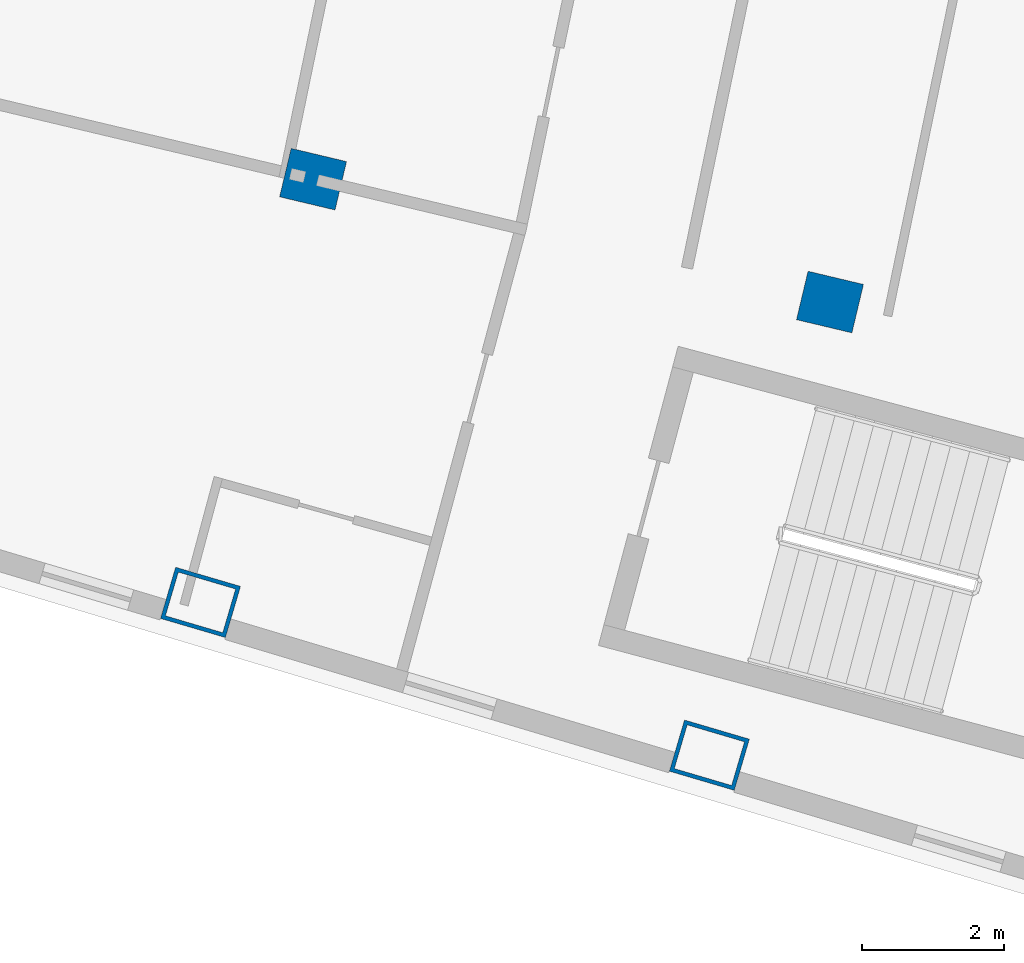
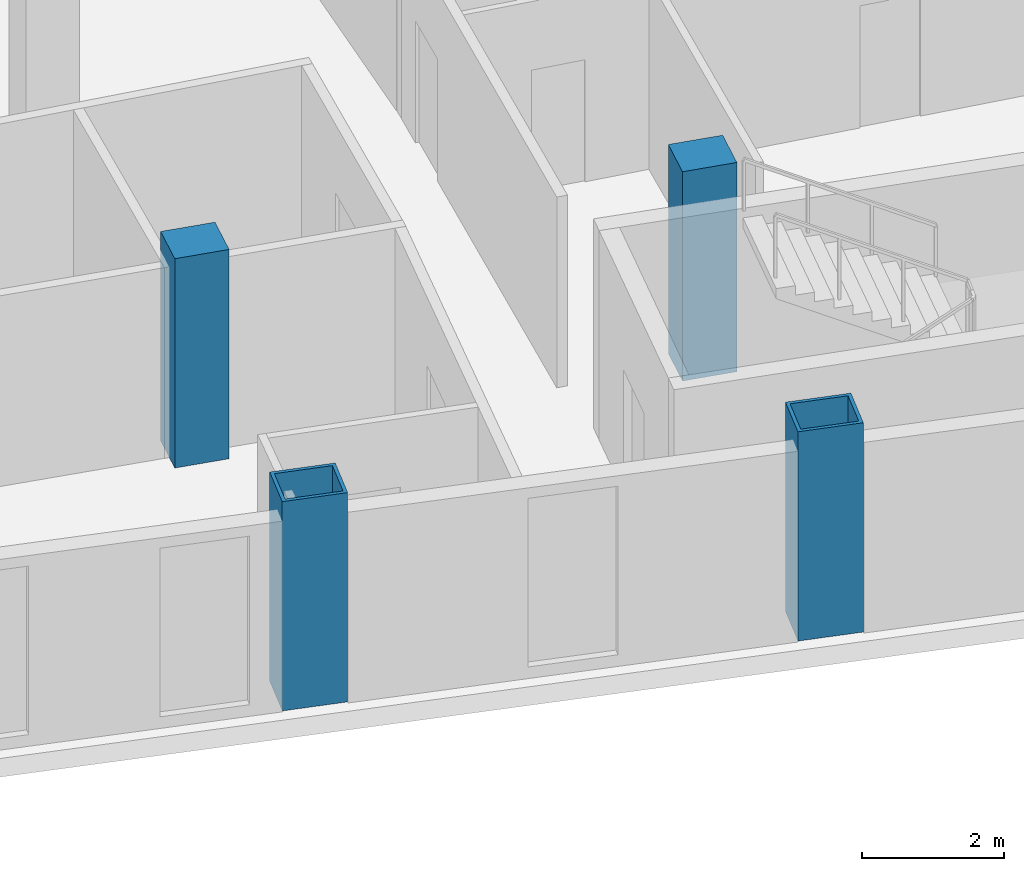
# One storey, part 2 of 21: 4 columns.
"""IFC4 building model written with IfcOpenShell, lengths in metres."""

from ifc_helpers import new_model, si_unit, direction, frame, origin, origin_2d, place, context, subcontext, project, spatial, rectangle, hollow_rectangle, extrude, material, material_profile, profile_set, type_object, element, save


model = new_model("IFC4")

# Units and contexts
model_context = context("Model", 3, precision=1e-05, world=origin(), true_north=direction((0.0, 1.0)))
body_context = subcontext(model_context, "Body", "Model", "MODEL_VIEW")
ifc_project = project(units=[si_unit("LENGTHUNIT", "METRE"), si_unit("AREAUNIT", "SQUARE_METRE"), si_unit("VOLUMEUNIT", "CUBIC_METRE"), si_unit("PLANEANGLEUNIT", "RADIAN"), si_unit("MASSUNIT", "GRAM", prefix="KILO")], contexts=[model_context])

# Site, building, storey
site_placement = place(None, origin())
site = spatial("IfcSite", under=ifc_project, at=site_placement, CompositionType="ELEMENT")
building_placement = place(site_placement, origin())
building = spatial("IfcBuilding", under=site, at=building_placement, Name="Alderwake Tower", CompositionType="ELEMENT")
storey_placement = place(building_placement, frame((0.0, 0.0, 207.199951171875)))
storey = spatial("IfcBuildingStorey", under=building, at=storey_placement, Name="L51", CompositionType="ELEMENT", Elevation=207.199951171875)

# Columns
ifc_material_1 = material(Name="Steel ASTM A572 Grade 50 concrete filled C70/85", Category="concrete")
ifc_material_profile_1 = material_profile(ifc_material_1, hollow_rectangle(XDim=0.75, YDim=0.949951171875, WallThickness=0.054931640625, at=origin_2d()), Name="BOX 950X750X55")
ifc_profile_set_1 = profile_set([ifc_material_profile_1], Name="Steel ASTM A572 Grade 50 concrete filled C70/85")
column_type_1 = type_object("IfcColumnType", Name="End column Z4", PredefinedType="COLUMN", material=ifc_profile_set_1)
for number, where, z_axis, x_axis, name in (
    (1, (31.080322265625, 28.27685546875, 0.0), (0.0, 0.0, 1.0), (0.282582549822, 0.959242984095, 0.0), "Column R02-C2"),
    (2, (38.231689453125, 26.1298828125, 0.0), (0.0, 0.0, 1.0), (0.282883890943, 0.959154160834, 0.0), "Column R02-C3"),
):
    element("IfcColumn", number, at=place(storey_placement, frame(where, z_axis=z_axis, x_axis=x_axis)), inside=storey, type_object=column_type_1, Name=name, PredefinedType="COLUMN", context=body_context, shape_type="SweptSolid", body=[
        extrude(hollow_rectangle(XDim=0.75, YDim=0.949951171875, WallThickness=0.054931640625, at=origin_2d()), origin(), (0.0, 0.0, 1.0), 3.60009765625),
    ])
ifc_material_2 = material(Name="Concrete C70/85", Category="concrete")
ifc_material_profile_2 = material_profile(ifc_material_2, rectangle(XDim=0.699951171875, YDim=0.800048828125, at=origin_2d()), Name="RC 800X700")
ifc_profile_set_2 = profile_set([ifc_material_profile_2], Name="Concrete C70/85")
column_type_2 = type_object("IfcColumnType", Name="Interior column Z4", PredefinedType="COLUMN", material=ifc_profile_set_2)
for number, where, z_axis, x_axis, name in (
    (3, (32.661865234375, 34.224609375, 0.0), (0.0, 0.0, 1.0), (0.231221547198, 0.972901123502, 0.0), "Column R03-C2"),
    (4, (39.92626953125, 32.498046875, 0.0), (0.0, 0.0, 1.0), (0.231221547198, 0.972901123502, 0.0), "Column R03-C3"),
):
    element("IfcColumn", number, at=place(storey_placement, frame(where, z_axis=z_axis, x_axis=x_axis)), inside=storey, type_object=column_type_2, Name=name, PredefinedType="COLUMN", context=body_context, shape_type="SweptSolid", body=[
        extrude(rectangle(XDim=0.699951171875, YDim=0.800048828125, at=origin_2d()), origin(), (0.0, 0.0, 1.0), 3.60009765625),
    ])

save(model, "model.ifc")
